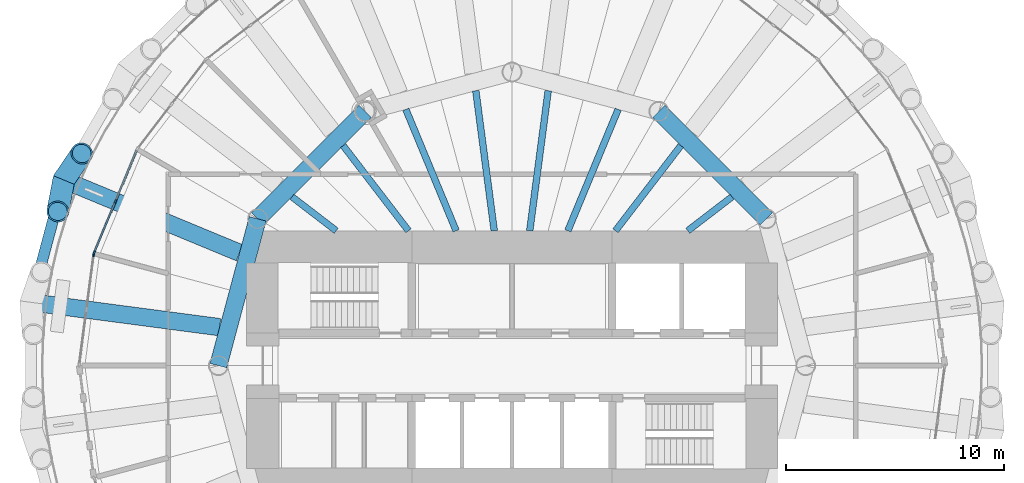
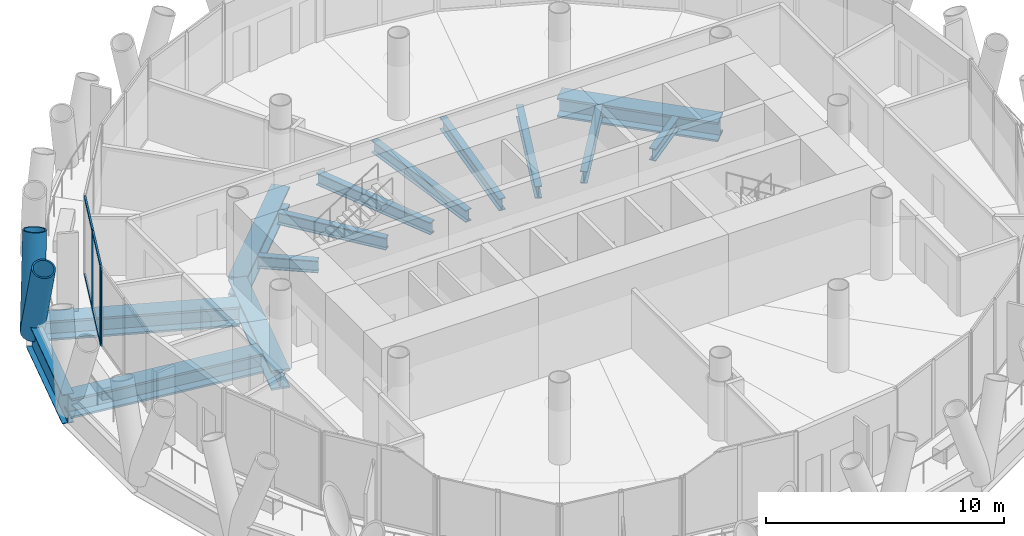
# One storey, part 4 of 16: 14 beams, 9 members, 2 elements without a shape of their own.
"""IFC4 building model written with IfcOpenShell, lengths in metres."""

from ifc_helpers import new_model, si_unit, direction, frame, origin, origin_2d, place, context, subcontext, project, spatial, rectangle, hollow_circle, i_section, extrude, material, material_profile, profile_set, type_object, element, aggregate, save


model = new_model("IFC4")

# Units and contexts
model_context = context("Model", 3, precision=1e-05, world=origin(), true_north=direction((0.0, 1.0)))
body_context = subcontext(model_context, "Body", "Model", "MODEL_VIEW")
ifc_project = project(units=[si_unit("LENGTHUNIT", "METRE"), si_unit("AREAUNIT", "SQUARE_METRE"), si_unit("VOLUMEUNIT", "CUBIC_METRE"), si_unit("PLANEANGLEUNIT", "RADIAN"), si_unit("MASSUNIT", "GRAM", prefix="KILO")], contexts=[model_context])

# Site, building, storey
site_placement = place(None, origin())
site = spatial("IfcSite", under=ifc_project, at=site_placement, CompositionType="ELEMENT")
building_placement = place(site_placement, origin())
building = spatial("IfcBuilding", under=site, at=building_placement, Name="Qaws Media Tower", CompositionType="ELEMENT")
storey_placement = place(building_placement, frame((0.0, 0.0, 252.800048828125)))
storey = spatial("IfcBuildingStorey", under=building, at=storey_placement, Name="L58", CompositionType="ELEMENT", Elevation=252.800048828125)

# Curtain wall, members
ifc_material_1 = material(Name="Aluminium and clear glass", Category="aluminium")
curtain_wall_type = type_object("IfcCurtainWallType", Name="Unitised curtain wall CW-C", PredefinedType="NOTDEFINED", material=ifc_material_1)
curtain_wall_1_placement = place(storey_placement, origin())
curtain_wall_1 = element("IfcCurtainWall", 1, at=curtain_wall_1_placement, inside=storey, type_object=curtain_wall_type, Name="CWC curtain wall L58-11", PredefinedType="NOTDEFINED")
ifc_material_2 = material(Name="Aluminium mullion", Category="aluminium")
ifc_material_profile_1 = material_profile(ifc_material_2, rectangle(XDim=0.080078125, YDim=0.199951171875, at=origin_2d()), Name="80x200")
ifc_profile_set_1 = profile_set([ifc_material_profile_1], Name="Aluminium mullion")
member_type_1 = type_object("IfcMemberType", Name="Curtain wall mullion 80x200", PredefinedType="MULLION", material=ifc_profile_set_1)
member_1_placement = place(storey_placement, frame((41.77197265625, 57.55029296875, 0.0), z_axis=(0.0, 0.0, 1.0), x_axis=(0.923879560196, -0.382683365528, 0.0)))
member_1 = element("IfcMember", 2, at=member_1_placement, type_object=member_type_1, Name="CWC mullion 2", PredefinedType="MULLION", context=body_context, shape_type="SweptSolid", body=[
    extrude(rectangle(XDim=0.080078125, YDim=0.199951171875, at=origin_2d()), origin(), (0.0, 0.0, 1.0), 4.0400390625),
])
member_2_placement = place(storey_placement, frame((40.79345703125, 55.1875, 0.0), z_axis=(0.0, 0.0, 1.0), x_axis=(0.923879560196, -0.382683365528, 0.0)))
member_2 = element("IfcMember", 3, at=member_2_placement, type_object=member_type_1, Name="CWC mullion 3", PredefinedType="MULLION", context=body_context, shape_type="SweptSolid", body=[
    extrude(rectangle(XDim=0.080078125, YDim=0.199951171875, at=origin_2d()), origin(), (0.0, 0.0, 1.0), 4.0400390625),
])

# Curtain wall, member
curtain_wall_2_placement = place(storey_placement, origin())
curtain_wall_2 = element("IfcCurtainWall", 4, at=curtain_wall_2_placement, inside=storey, type_object=curtain_wall_type, Name="CWC curtain wall L58-12", PredefinedType="NOTDEFINED")
member_3_placement = place(storey_placement, frame((40.77294921875, 55.11083984375, 0.0), z_axis=(0.0, 0.0, 1.0), x_axis=(0.991444862798, -0.130526181405, 0.0)))
member_3 = element("IfcMember", 5, at=member_3_placement, type_object=member_type_1, Name="CWC mullion 1", PredefinedType="MULLION", context=body_context, shape_type="SweptSolid", body=[
    extrude(rectangle(XDim=0.080078125, YDim=0.199951171875, at=origin_2d()), origin(), (0.0, 0.0, 1.0), 4.0400390625),
])
aggregate(curtain_wall_2, [member_3])

# Member
ifc_material_3 = material(Name="Aluminium transom", Category="aluminium")
ifc_material_profile_2 = material_profile(ifc_material_3, rectangle(XDim=0.080078125, YDim=0.159912109375, at=origin_2d()), Name="80x160")
ifc_profile_set_2 = profile_set([ifc_material_profile_2], Name="Aluminium transom")
member_type_2 = type_object("IfcMemberType", Name="Curtain wall transom 80x160", PredefinedType="USERDEFINED", material=ifc_profile_set_2)
member_4_placement = place(storey_placement, frame((42.735595703125, 59.8759765625, 0.0400390625), z_axis=(-0.382746335528, -0.923853474659, 0.0), x_axis=(0.923853474659, -0.382746335528, 0.0)))
member_4 = element("IfcMember", 6, at=member_4_placement, type_object=member_type_2, Name="CWC transom 1.1", ObjectType="TRANSOM", PredefinedType="USERDEFINED", context=body_context, shape_type="SweptSolid", body=[
    extrude(rectangle(XDim=0.080078125, YDim=0.159912109375, at=origin_2d()), origin(), (0.0, 0.0, 1.0), 2.4775390625),
])

member_5_placement = place(storey_placement, frame((42.735595703125, 59.8759765625, 4.0), z_axis=(-0.382746335528, -0.923853474659, 0.0), x_axis=(0.923853474659, -0.382746335528, 0.0)))
member_5 = element("IfcMember", 7, at=member_5_placement, type_object=member_type_2, Name="CWC transom 1.2", ObjectType="TRANSOM", PredefinedType="USERDEFINED", context=body_context, shape_type="SweptSolid", body=[
    extrude(rectangle(XDim=0.080078125, YDim=0.159912109375, at=origin_2d()), origin(), (0.0, 0.0, 1.0), 2.4775390625),
])

member_6_placement = place(storey_placement, frame((41.7568359375, 57.51318359375, 0.0400390625), z_axis=(-0.382746335528, -0.923853474659, 0.0), x_axis=(0.923853474659, -0.382746335528, 0.0)))
member_6 = element("IfcMember", 8, at=member_6_placement, type_object=member_type_2, Name="CWC transom 2.1", ObjectType="TRANSOM", PredefinedType="USERDEFINED", context=body_context, shape_type="SweptSolid", body=[
    extrude(rectangle(XDim=0.080078125, YDim=0.159912109375, at=origin_2d()), origin(), (0.0, 0.0, 1.0), 2.4775390625),
])

member_7_placement = place(storey_placement, frame((41.7568359375, 57.51318359375, 4.0), z_axis=(-0.382746335528, -0.923853474659, 0.0), x_axis=(0.923853474659, -0.382746335528, 0.0)))
member_7 = element("IfcMember", 9, at=member_7_placement, type_object=member_type_2, Name="CWC transom 2.2", ObjectType="TRANSOM", PredefinedType="USERDEFINED", context=body_context, shape_type="SweptSolid", body=[
    extrude(rectangle(XDim=0.080078125, YDim=0.159912109375, at=origin_2d()), origin(), (0.0, 0.0, 1.0), 2.4775390625),
])

aggregate(curtain_wall_1, [member_1, member_2, member_4, member_5, member_6, member_7])

# Members
ifc_material_4 = material(Name="Steel S460", Category="steel")
ifc_material_profile_3 = material_profile(ifc_material_4, hollow_circle(Radius=0.508056640625, WallThickness=0.070068359375, at=origin_2d()), Name="CHS 1016x70")
ifc_profile_set_3 = profile_set([ifc_material_profile_3], Name="Steel S460")
member_type_3 = type_object("IfcMemberType", Name="Diagrid member CHS 1016x70", PredefinedType="USERDEFINED", material=ifc_profile_set_3)
member_8_placement = place(storey_placement, frame((39.3974609375, 58.533935546875, -0.91015625), z_axis=(-0.062312148052, -0.324944687554, 0.943677988636), x_axis=(0.982105639772, -0.188330858673, 0.0)))
element("IfcMember", 10, at=member_8_placement, inside=storey, type_object=member_type_3, Name="DG3 diagrid L58 A11", ObjectType="DIAGRID", PredefinedType="USERDEFINED", context=body_context, shape_type="SweptSolid", body=[
    extrude(hollow_circle(Radius=0.508056640625, WallThickness=0.070068359375, at=origin_2d()), origin(), (0.0, 0.0, 1.0), 4.450927734375),
])
member_9_placement = place(storey_placement, frame((39.3974609375, 58.533935546875, -0.91015625), z_axis=(0.185679302452, 0.273774120691, 0.943700655653), x_axis=(-0.827610579333, 0.561302707081, 0.0)))
element("IfcMember", 11, at=member_9_placement, inside=storey, type_object=member_type_3, Name="DG3 diagrid L58 B11", ObjectType="DIAGRID", PredefinedType="USERDEFINED", context=body_context, shape_type="SweptSolid", body=[
    extrude(hollow_circle(Radius=0.508056640625, WallThickness=0.070068359375, at=origin_2d()), origin(), (0.0, 0.0, 1.0), 4.45068359375),
])

# Beams
ifc_material_5 = material(Name="Steel S460", Category="steel")
ifc_material_profile_4 = material_profile(ifc_material_5, i_section(OverallWidth=0.5, OverallDepth=1.5, WebThickness=0.02001953125, FlangeThickness=0.0400390625, at=origin_2d()), Name="PG 1500x500")
ifc_profile_set_4 = profile_set([ifc_material_profile_4], Name="Steel S460")
beam_type_1 = type_object("IfcBeamType", Name="Edge ring beam PG 1500x500", PredefinedType="BEAM", material=ifc_profile_set_4)
beam_1_placement = place(storey_placement, frame((39.3974609375, 58.533935546875, -0.91015625), z_axis=(-0.258792682766, -0.96593288967, 0.0), x_axis=(0.96593288967, -0.258792682766, 0.0)))
element("IfcBeam", 12, at=beam_1_placement, inside=storey, type_object=beam_type_1, Name="RB4 edge ring beam L58-11", PredefinedType="BEAM", context=body_context, shape_type="SweptSolid", body=[
    extrude(i_section(OverallWidth=0.5, OverallDepth=1.5, WebThickness=0.02001953125, FlangeThickness=0.0400390625, at=origin_2d()), origin(), (0.0, 0.0, 1.0), 5.821533203125),
])
ifc_material_6 = material(Name="Steel S460", Category="steel")
ifc_material_profile_5 = material_profile(ifc_material_6, i_section(OverallWidth=0.800048828125, OverallDepth=1.0, WebThickness=0.0400390625, FlangeThickness=0.10009765625, at=origin_2d()), Name="PG 1000x800")
ifc_profile_set_5 = profile_set([ifc_material_profile_5], Name="Steel S460")
beam_type_2 = type_object("IfcBeamType", Name="Inner ring girder PG 1000x800", PredefinedType="BEAM", material=ifc_profile_set_5)
for number, where, z_axis, x_axis, name in (
    (13, (71.69140625, 56.75, -0.66015625), (-0.707106781187, 0.707106781187, 0.0), (-0.707106781187, -0.707106781187, 0.0), "B3 inner ring beam L58 I02-I03"),
    (14, (53.25, 61.69140625, -0.66015625), (-0.707106781187, -0.707106781187, 0.0), (0.707106781187, -0.707106781187, 0.0), "B3 inner ring beam L58 I05-I06"),
):
    element("IfcBeam", number, at=place(storey_placement, frame(where, z_axis=z_axis, x_axis=x_axis)), inside=storey, type_object=beam_type_2, Name=name, PredefinedType="BEAM", context=body_context, shape_type="SweptSolid", body=[
        extrude(i_section(OverallWidth=0.800048828125, OverallDepth=1.0, WebThickness=0.0400390625, FlangeThickness=0.10009765625, at=origin_2d()), origin(), (0.0, 0.0, 1.0), 6.98828125),
    ])
beam_2_placement = place(storey_placement, frame((48.30859375, 56.75, -0.66015625), z_axis=(-0.258810593767, -0.965928090778, 0.0), x_axis=(0.965928090778, -0.258810593767, 0.0)))
element("IfcBeam", 15, at=beam_2_placement, inside=storey, type_object=beam_type_2, Name="B3 inner ring beam L58 I06-I07", PredefinedType="BEAM", context=body_context, shape_type="SweptSolid", body=[
    extrude(i_section(OverallWidth=0.800048828125, OverallDepth=1.0, WebThickness=0.0400390625, FlangeThickness=0.10009765625, at=origin_2d()), origin(), (0.0, 0.0, 1.0), 6.988037109375),
])
ifc_material_7 = material(Name="Steel S355", Category="steel")
ifc_material_profile_6 = material_profile(ifc_material_7, i_section(OverallWidth=0.304931640625, OverallDepth=0.6201171875, WebThickness=0.02099609375, FlangeThickness=0.0400390625, FilletRadius=0.027099609375, at=origin_2d()), Name="HE 600 M")
ifc_profile_set_6 = profile_set([ifc_material_profile_6], Name="Steel S355")
beam_type_3 = type_object("IfcBeamType", Name="Radial beam HE 600 M, core side", PredefinedType="BEAM", material=ifc_profile_set_6)
beam_3_placement = place(storey_placement, frame((68.080078125, 56.199951171875, -0.469970703125), z_axis=(0.793313603331, 0.608813211725, 0.0), x_axis=(-0.608813211725, 0.793313603331, 0.0)))
element("IfcBeam", 16, at=beam_3_placement, inside=storey, type_object=beam_type_3, Name="B2 radial beam L58 03", PredefinedType="BEAM", context=body_context, shape_type="SweptSolid", body=[
    extrude(i_section(OverallWidth=0.304931640625, OverallDepth=0.6201171875, WebThickness=0.02099609375, FlangeThickness=0.0400390625, FilletRadius=0.027099609375, at=origin_2d()), origin(), (0.0, 0.0, 1.0), 2.564453125),
])
beam_4_placement = place(storey_placement, frame((64.75732421875, 56.199951171875, -0.469970703125), z_axis=(0.60878257667, 0.793337112672, 0.0), x_axis=(-0.793337112672, 0.60878257667, 0.0)))
element("IfcBeam", 17, at=beam_4_placement, inside=storey, type_object=beam_type_3, Name="B2 radial beam L58 04", PredefinedType="BEAM", context=body_context, shape_type="SweptSolid", body=[
    extrude(i_section(OverallWidth=0.304931640625, OverallDepth=0.6201171875, WebThickness=0.02099609375, FlangeThickness=0.0400390625, FilletRadius=0.027099609375, at=origin_2d()), origin(), (0.0, 0.0, 1.0), 4.934326171875),
])
beam_5_placement = place(storey_placement, frame((62.568115234375, 56.199951171875, -0.469970703125), z_axis=(0.38269102823, 0.923876386165, 0.0), x_axis=(-0.923876386165, 0.38269102823, 0.0)))
element("IfcBeam", 18, at=beam_5_placement, inside=storey, type_object=beam_type_3, Name="B2 radial beam L58 05", PredefinedType="BEAM", context=body_context, shape_type="SweptSolid", body=[
    extrude(i_section(OverallWidth=0.304931640625, OverallDepth=0.6201171875, WebThickness=0.02099609375, FlangeThickness=0.0400390625, FilletRadius=0.027099609375, at=origin_2d()), origin(), (0.0, 0.0, 1.0), 6.038330078125),
])
for number, where, z_axis, x_axis, name in (
    (19, (60.816162109375, 56.199951171875, -0.469970703125), (0.130536183005, 0.991443546011, 0.0), (-0.991443546011, 0.130536183005, 0.0), "B2 radial beam L58 06"),
    (20, (59.183837890625, 56.199951171875, -0.469970703125), (-0.130536183005, 0.991443546011, 0.0), (-0.991443546011, -0.130536183005, 0.0), "B2 radial beam L58 07"),
):
    element("IfcBeam", number, at=place(storey_placement, frame(where, z_axis=z_axis, x_axis=x_axis)), inside=storey, type_object=beam_type_3, Name=name, PredefinedType="BEAM", context=body_context, shape_type="SweptSolid", body=[
        extrude(i_section(OverallWidth=0.304931640625, OverallDepth=0.6201171875, WebThickness=0.02099609375, FlangeThickness=0.0400390625, FilletRadius=0.027099609375, at=origin_2d()), origin(), (0.0, 0.0, 1.0), 6.49560546875),
    ])
beam_6_placement = place(storey_placement, frame((57.431884765625, 56.199951171875, -0.469970703125), z_axis=(-0.38269102823, 0.923876386165, 0.0), x_axis=(-0.923876386165, -0.38269102823, 0.0)))
element("IfcBeam", 21, at=beam_6_placement, inside=storey, type_object=beam_type_3, Name="B2 radial beam L58 08", PredefinedType="BEAM", context=body_context, shape_type="SweptSolid", body=[
    extrude(i_section(OverallWidth=0.304931640625, OverallDepth=0.6201171875, WebThickness=0.02099609375, FlangeThickness=0.0400390625, FilletRadius=0.027099609375, at=origin_2d()), origin(), (0.0, 0.0, 1.0), 6.038330078125),
])
beam_7_placement = place(storey_placement, frame((55.24267578125, 56.199951171875, -0.469970703125), z_axis=(-0.60878257667, 0.793337112672, 0.0), x_axis=(-0.793337112672, -0.60878257667, 0.0)))
element("IfcBeam", 22, at=beam_7_placement, inside=storey, type_object=beam_type_3, Name="B2 radial beam L58 09", PredefinedType="BEAM", context=body_context, shape_type="SweptSolid", body=[
    extrude(i_section(OverallWidth=0.304931640625, OverallDepth=0.6201171875, WebThickness=0.02099609375, FlangeThickness=0.0400390625, FilletRadius=0.027099609375, at=origin_2d()), origin(), (0.0, 0.0, 1.0), 4.934326171875),
])
beam_8_placement = place(storey_placement, frame((51.919921875, 56.199951171875, -0.469970703125), z_axis=(-0.793313603331, 0.608813211725, 0.0), x_axis=(-0.608813211725, -0.793313603331, 0.0)))
element("IfcBeam", 23, at=beam_8_placement, inside=storey, type_object=beam_type_3, Name="B2 radial beam L58 10", PredefinedType="BEAM", context=body_context, shape_type="SweptSolid", body=[
    extrude(i_section(OverallWidth=0.304931640625, OverallDepth=0.6201171875, WebThickness=0.02099609375, FlangeThickness=0.0400390625, FilletRadius=0.027099609375, at=origin_2d()), origin(), (0.0, 0.0, 1.0), 2.564453125),
])
ifc_material_8 = material(Name="Steel S460", Category="steel")
ifc_material_profile_7 = material_profile(ifc_material_8, i_section(OverallWidth=0.800048828125, OverallDepth=1.0, WebThickness=0.0400390625, FlangeThickness=0.10009765625, at=origin_2d()), Name="PG 1000x800")
ifc_profile_set_7 = profile_set([ifc_material_profile_7], Name="Steel S460")
beam_type_4 = type_object("IfcBeamType", Name="Radial girder PG 1000x800", PredefinedType="BEAM", material=ifc_profile_set_7)
for number, where, z_axis, x_axis, name in (
    (24, (47.475830078125, 55.187744140625, -0.66015625), (-0.923878669392, 0.382685516114, 0.0), (-0.382685516114, -0.923878669392, 0.0), "B1 radial beam L58 11"),
    (25, (46.56005859375, 51.769287109375, -0.66015625), (-0.991444314093, 0.130530349162, 0.0), (-0.130530349162, -0.991444314093, 0.0), "B1 radial beam L58 12"),
):
    element("IfcBeam", number, at=place(storey_placement, frame(where, z_axis=z_axis, x_axis=x_axis)), inside=storey, type_object=beam_type_4, Name=name, PredefinedType="BEAM", context=body_context, shape_type="SweptSolid", body=[
        extrude(i_section(OverallWidth=0.800048828125, OverallDepth=1.0, WebThickness=0.0400390625, FlangeThickness=0.10009765625, at=origin_2d()), origin(), (0.0, 0.0, 1.0), 8.743896484375),
    ])

save(model, "model.ifc")
